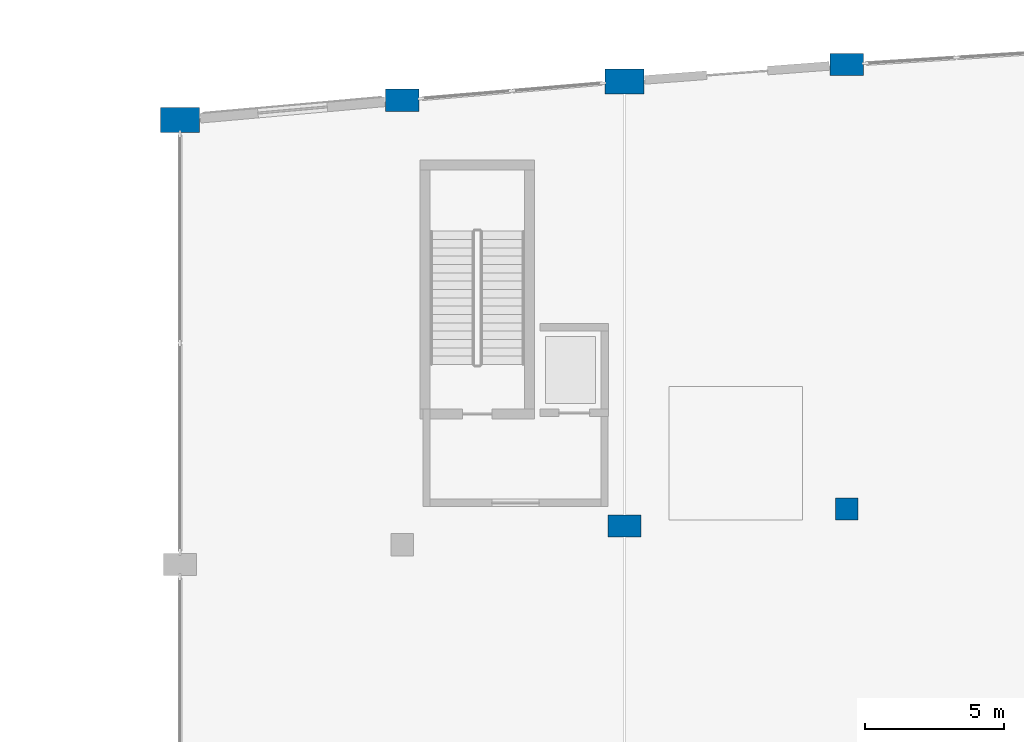
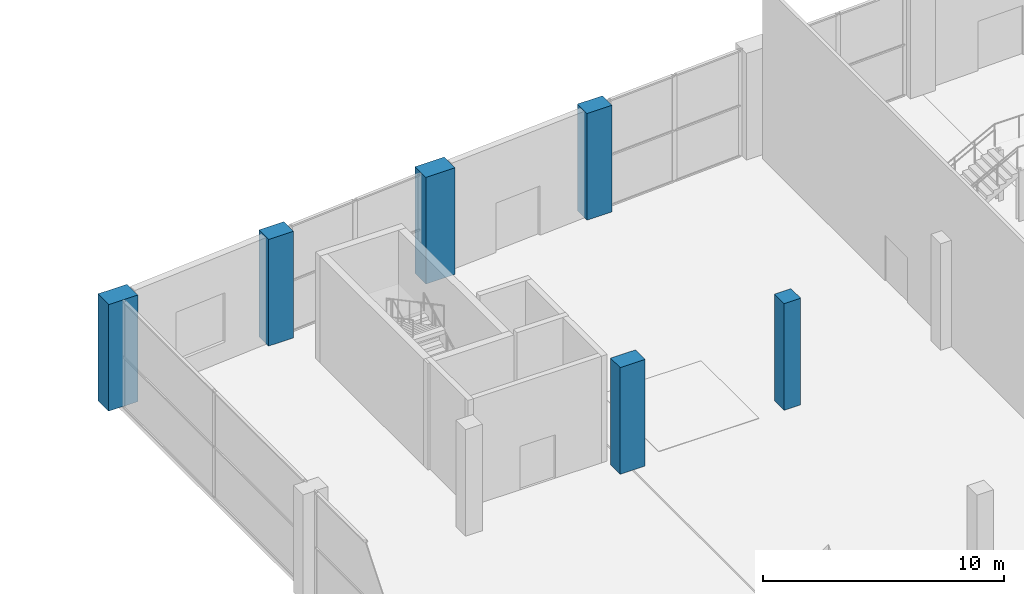
# One storey, part 11 of 86: 6 columns.
"""IFC4 building model written with IfcOpenShell, lengths in metres."""

from ifc_helpers import new_model, si_unit, direction, frame, origin, origin_2d, place, context, subcontext, project, spatial, rectangle, extrude, material, material_profile, profile_set, type_object, element, save


model = new_model("IFC4")

# Units and contexts
model_context = context("Model", 3, precision=1e-05, world=origin(), true_north=direction((0.0, 1.0)))
body_context = subcontext(model_context, "Body", "Model", "MODEL_VIEW")
ifc_project = project(units=[si_unit("LENGTHUNIT", "METRE"), si_unit("AREAUNIT", "SQUARE_METRE"), si_unit("VOLUMEUNIT", "CUBIC_METRE"), si_unit("PLANEANGLEUNIT", "RADIAN"), si_unit("MASSUNIT", "GRAM", prefix="KILO")], contexts=[model_context])

# Site, building, storey
site_placement = place(None, origin())
site = spatial("IfcSite", under=ifc_project, at=site_placement, CompositionType="ELEMENT")
building_placement = place(site_placement, origin())
building = spatial("IfcBuilding", under=site, at=building_placement, Name="Kenh Van Central Station", CompositionType="ELEMENT")
storey_placement = place(building_placement, origin())
storey = spatial("IfcBuildingStorey", under=building, at=storey_placement, Name="L00", CompositionType="ELEMENT", Elevation=0.0)

# Columns
ifc_material = material(Name="Concrete C40/50", Category="concrete")
ifc_material_profile_1 = material_profile(ifc_material, rectangle(XDim=1.199951171875, YDim=0.800048828125, at=origin_2d()), Name="RC 1200x800")
ifc_profile_set_1 = profile_set([ifc_material_profile_1], Name="Concrete C40/50")
column_type_1 = type_object("IfcColumnType", Name="COL-PIER-1200x800", PredefinedType="COLUMN", material=ifc_profile_set_1)
for number, where, z_axis, x_axis, name in (
    (1, (40.0, 112.712158203125, 0.0), (0.0, 0.0, 1.0), (1.0, 0.0, 0.0), "L00 column VPI-01-3"),
    (2, (48.0, 97.388427734375, 0.0), (0.0, 0.0, 1.0), (1.0, 0.0, 0.0), "L00 column VP-02-2"),
    (3, (56.0, 113.9951171875, 0.0), (0.0, 0.0, 1.0), (1.0, 0.0, 0.0), "L00 column VPI-03-3"),
):
    element("IfcColumn", number, at=place(storey_placement, frame(where, z_axis=z_axis, x_axis=x_axis)), inside=storey, type_object=column_type_1, Name=name, PredefinedType="COLUMN", context=body_context, shape_type="SweptSolid", body=[
        extrude(rectangle(XDim=1.199951171875, YDim=0.800048828125, at=origin_2d()), origin(), (0.0, 0.0, 1.0), 5.39990234375),
    ])
ifc_material_profile_2 = material_profile(ifc_material, rectangle(XDim=1.39990234375, YDim=0.89990234375, at=origin_2d()), Name="RC 1400x900")
ifc_profile_set_2 = profile_set([ifc_material_profile_2], Name="Concrete C40/50")
column_type_2 = type_object("IfcColumnType", Name="COL-PIER-1400x900", PredefinedType="COLUMN", material=ifc_profile_set_2)
for number, where, z_axis, x_axis, name in (
    (4, (32.0, 112.0, 0.0), (0.0, 0.0, 1.0), (1.0, 0.0, 0.0), "L00 column VP-00-3"),
    (5, (48.0, 113.388427734375, 0.0), (0.0, 0.0, 1.0), (1.0, 0.0, 0.0), "L00 column VP-02-3"),
):
    element("IfcColumn", number, at=place(storey_placement, frame(where, z_axis=z_axis, x_axis=x_axis)), inside=storey, type_object=column_type_2, Name=name, PredefinedType="COLUMN", context=body_context, shape_type="SweptSolid", body=[
        extrude(rectangle(XDim=1.39990234375, YDim=0.89990234375, at=origin_2d()), origin(), (0.0, 0.0, 1.0), 5.39990234375),
    ])
ifc_material_profile_3 = material_profile(ifc_material, rectangle(XDim=0.800048828125, YDim=0.800048828125, at=origin_2d()), Name="RC 800x800")
ifc_profile_set_3 = profile_set([ifc_material_profile_3], Name="Concrete C40/50")
column_type_3 = type_object("IfcColumnType", Name="COL-RC-800x800", PredefinedType="COLUMN", material=ifc_profile_set_3)
column_placement = place(storey_placement, frame((56.0, 97.9951171875, 0.0), z_axis=(0.0, 0.0, 1.0), x_axis=(1.0, 0.0, 0.0)))
element("IfcColumn", 6, at=column_placement, inside=storey, type_object=column_type_3, Name="L00 column VP-03-2", PredefinedType="COLUMN", context=body_context, shape_type="SweptSolid", body=[
    extrude(rectangle(XDim=0.800048828125, YDim=0.800048828125, at=origin_2d()), origin(), (0.0, 0.0, 1.0), 5.39990234375),
])

save(model, "model.ifc")
